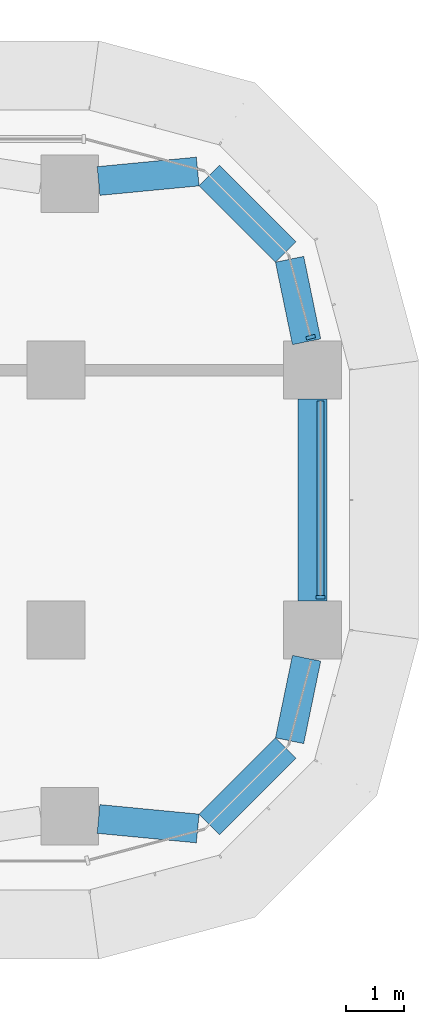
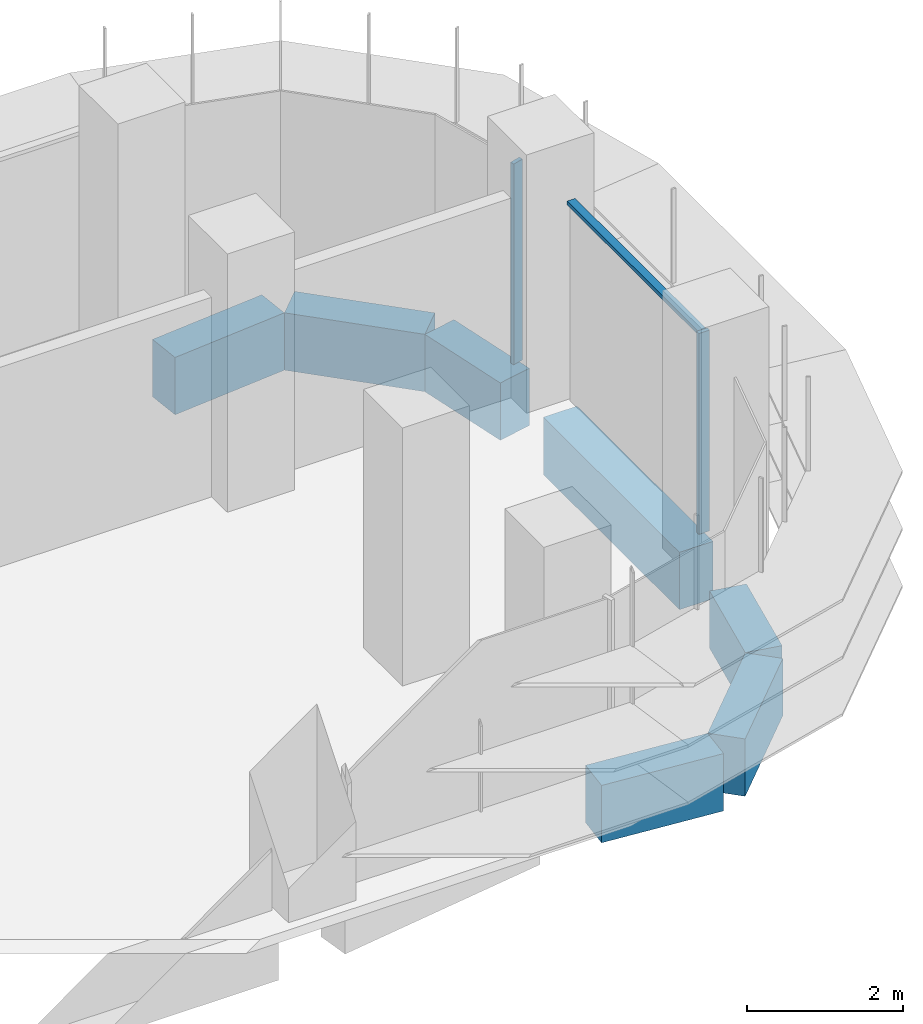
# One storey, part 11 of 23: 7 beams, 3 members, 2 elements without a shape of their own.
"""IFC4 building model written with IfcOpenShell, lengths in metres."""

from ifc_helpers import new_model, si_unit, direction, frame, origin, origin_2d, place, context, subcontext, project, spatial, polyline, rectangle, outline, extrude, source, transform, mapped, material, material_profile, profile_set, type_object, element, aggregate, save


model = new_model("IFC4")

# Units and contexts
model_context = context("Model", 3, precision=1e-05, world=origin(), true_north=direction((0.0, 1.0)))
body_context = subcontext(model_context, "Body", "Model", "MODEL_VIEW")
ifc_project = project(units=[si_unit("LENGTHUNIT", "METRE"), si_unit("AREAUNIT", "SQUARE_METRE"), si_unit("VOLUMEUNIT", "CUBIC_METRE"), si_unit("PLANEANGLEUNIT", "RADIAN"), si_unit("MASSUNIT", "GRAM", prefix="KILO")], contexts=[model_context])

# Site, building, storey
site_placement = place(None, origin())
site = spatial("IfcSite", under=ifc_project, at=site_placement, CompositionType="ELEMENT")
building_placement = place(site_placement, origin())
building = spatial("IfcBuilding", under=site, at=building_placement, Name="Zarbagh Exchange Tower", CompositionType="ELEMENT")
storey_placement = place(building_placement, frame((0.0, 0.0, 48.0)))
storey = spatial("IfcBuildingStorey", under=building, at=storey_placement, Name="L10", CompositionType="ELEMENT", Elevation=48.0)

# Beams
ifc_material_1 = material(Name="Concrete C60/75", Category="concrete")
ifc_material_profile = material_profile(ifc_material_1, rectangle(XDim=0.5, YDim=0.89990234375, at=origin_2d()), Name="RC spandrel beam 500 x 900 C60/75")
ifc_profile_set = profile_set([ifc_material_profile], Name="Concrete C60/75")
beam_type = type_object("IfcBeamType", Name="RC spandrel beam 500 x 900 C60/75", PredefinedType="SPANDREL", material=ifc_profile_set)
beam_1_placement = place(storey_placement, frame((29.40576171875, 5.522705078125, -0.60009765625), z_axis=(0.995431032456, 0.095483294999, 0.0), x_axis=(-0.095483294999, 0.995431032456, 0.0)))
element("IfcBeam", 1, at=beam_1_placement, inside=storey, type_object=beam_type, Name="RC spandrel beam", PredefinedType="SPANDREL", context=body_context, shape_type="SweptSolid", body=[
    extrude(rectangle(XDim=0.5, YDim=0.89990234375, at=origin_2d()), origin(), (0.0, 0.0, 1.0), 1.725830078125),
])
beam_2_placement = place(storey_placement, frame((31.324462890625, 5.615478515625, -0.60009765625), z_axis=(0.707172099812, -0.707041456527, 0.0), x_axis=(0.707041456527, 0.707172099812, 0.0)))
element("IfcBeam", 2, at=beam_2_placement, inside=storey, type_object=beam_type, Name="RC spandrel beam", PredefinedType="SPANDREL", context=body_context, shape_type="SweptSolid", body=[
    extrude(rectangle(XDim=0.5, YDim=0.89990234375, at=origin_2d()), origin(), (0.0, 0.0, 1.0), 1.86865234375),
])
beam_3_placement = place(storey_placement, frame((32.714111328125, 4.16796875, -0.60009765625), z_axis=(0.202068589164, -0.9793713725, 0.0), x_axis=(0.9793713725, 0.202068589164, 0.0)))
element("IfcBeam", 3, at=beam_3_placement, inside=storey, type_object=beam_type, Name="RC spandrel beam", PredefinedType="SPANDREL", context=body_context, shape_type="SweptSolid", body=[
    extrude(rectangle(XDim=0.5, YDim=0.89990234375, at=origin_2d()), origin(), (0.0, 0.0, 1.0), 1.458251953125),
])
beam_4_placement = place(storey_placement, frame((33.110107421875, 1.75, -0.60009765625), z_axis=(0.0, -1.0, 0.0), x_axis=(1.0, 0.0, 0.0)))
element("IfcBeam", 4, at=beam_4_placement, inside=storey, type_object=beam_type, Name="RC spandrel beam", PredefinedType="SPANDREL", context=body_context, shape_type="SweptSolid", body=[
    extrude(rectangle(XDim=0.5, YDim=0.89990234375, at=origin_2d()), origin(), (0.0, 0.0, 1.0), 3.5),
])
beam_5_placement = place(storey_placement, frame((33.0087890625, -2.73974609375, -0.60009765625), z_axis=(-0.202068589164, -0.9793713725, 0.0), x_axis=(0.9793713725, -0.202068589164, 0.0)))
element("IfcBeam", 5, at=beam_5_placement, inside=storey, type_object=beam_type, Name="RC spandrel beam", PredefinedType="SPANDREL", context=body_context, shape_type="SweptSolid", body=[
    extrude(rectangle(XDim=0.5, YDim=0.89990234375, at=origin_2d()), origin(), (0.0, 0.0, 1.0), 1.458251953125),
])
beam_6_placement = place(storey_placement, frame((32.64599609375, -4.294189453125, -0.60009765625), z_axis=(-0.707172099812, -0.707041456527, 0.0), x_axis=(0.707041456527, -0.707172099812, 0.0)))
element("IfcBeam", 6, at=beam_6_placement, inside=storey, type_object=beam_type, Name="RC spandrel beam", PredefinedType="SPANDREL", context=body_context, shape_type="SweptSolid", body=[
    extrude(rectangle(XDim=0.5, YDim=0.89990234375, at=origin_2d()), origin(), (0.0, 0.0, 1.0), 1.86865234375),
])
beam_7_placement = place(storey_placement, frame((31.123779296875, -5.6875, -0.60009765625), z_axis=(-0.995431032456, 0.095483294999, 0.0), x_axis=(-0.095483294999, -0.995431032456, 0.0)))
element("IfcBeam", 7, at=beam_7_placement, inside=storey, type_object=beam_type, Name="RC spandrel beam", PredefinedType="SPANDREL", context=body_context, shape_type="SweptSolid", body=[
    extrude(rectangle(XDim=0.5, YDim=0.89990234375, at=origin_2d()), origin(), (0.0, 0.0, 1.0), 1.725830078125),
])

# Curtain wall, member
ifc_material_2 = material(Name="Anodised aluminium frame and glazing", Category="aluminium")
curtain_wall_type = type_object("IfcCurtainWallType", Name="CWA Ribbon glazing, lower zones", PredefinedType="NOTDEFINED", material=ifc_material_2)
curtain_wall_1_placement = place(storey_placement, origin())
curtain_wall_1 = element("IfcCurtainWall", 8, at=curtain_wall_1_placement, inside=storey, type_object=curtain_wall_type, Name="CWA12 curtain wall", PredefinedType="NOTDEFINED")
ifc_material_3 = material(Name="Anodised aluminium frame", Category="aluminium")
member_type_1 = type_object("IfcMemberType", Name="MUA Mullion, anodised aluminium frame", PredefinedType="MULLION", material=ifc_material_3)
shared_shape_1 = source(origin(), body_context, "Body", "SweptSolid", [
    extrude(outline(polyline([(0.0, -0.080078125), (0.06005859375, -0.080078125), (0.06005859375, 0.080078125), (0.0, 0.080078125), (0.0, -0.080078125)])), origin(), (0.0, 0.0, 1.0), 3.14990234375),
])
placement = place(storey_placement, origin())
member_1 = element("IfcMember", 9, at=placement, type_object=member_type_1, Name="CWA12 mullion 1.1", PredefinedType="MULLION", context=body_context, shape_type="MappedRepresentation", body=[
    mapped(shared_shape_1, transform((33.25, -1.7099609375, 0.0), x_axis=(0.0, 1.0, 0.0), y_axis=(-1.0, 0.0, 0.0), z_axis=(0.0, 0.0, 1.0))),
])

curtain_wall_2_placement = place(storey_placement, origin())
curtain_wall_2 = element("IfcCurtainWall", 10, at=curtain_wall_2_placement, inside=storey, type_object=curtain_wall_type, Name="CWA13 curtain wall", PredefinedType="NOTDEFINED")
member_2 = element("IfcMember", 11, at=placement, type_object=member_type_1, Name="CWA13 mullion 1.1", PredefinedType="MULLION", context=body_context, shape_type="MappedRepresentation", body=[
    mapped(shared_shape_1, transform((33.087646484375, 2.7900390625, 0.0), x_axis=(-0.258824779902, 0.965924289636, 0.0), y_axis=(-0.965924289636, -0.258824779902, 0.0), z_axis=(0.0, 0.0, 1.0))),
])
aggregate(curtain_wall_2, [member_2])

# Member
member_type_2 = type_object("IfcMemberType", Name="TRA Transom, anodised aluminium frame", PredefinedType="USERDEFINED", material=ifc_material_3)
shared_shape_2 = source(origin(), body_context, "Body", "SweptSolid", [
    extrude(outline(polyline([(-0.06005859375, -0.06005859375), (0.0, -0.06005859375), (0.0, 0.06005859375), (-0.06005859375, 0.06005859375), (-0.06005859375, -0.06005859375)])), origin(), (0.0, 0.0, 1.0), 3.360107421875),
])
member_3 = element("IfcMember", 12, at=placement, type_object=member_type_2, Name="CWA12 transom 1.1", ObjectType="TRANSOM", PredefinedType="USERDEFINED", context=body_context, shape_type="MappedRepresentation", body=[
    mapped(shared_shape_2, transform((33.25, -1.64990234375, 3.14990234375), x_axis=(0.0, 0.0, 1.0), y_axis=(1.0, 0.0, 0.0), z_axis=(0.0, 1.0, 0.0))),
])

aggregate(curtain_wall_1, [member_1, member_3])

save(model, "model.ifc")
